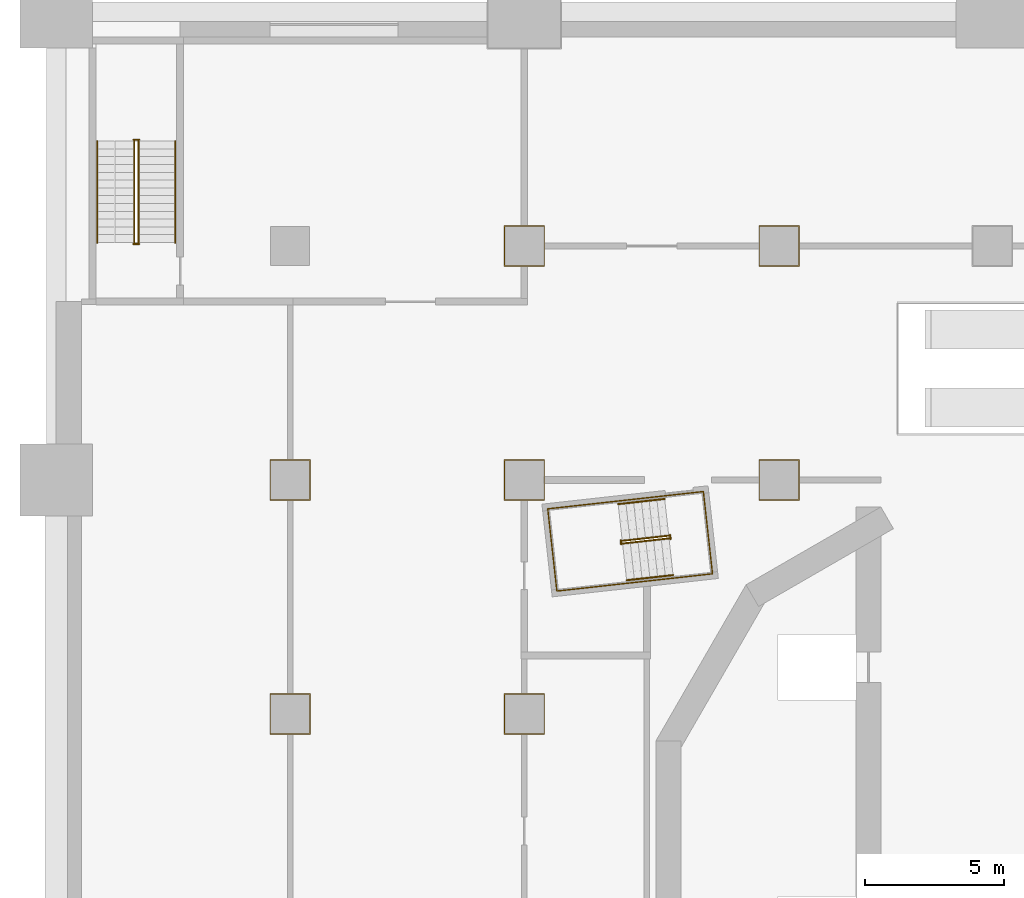
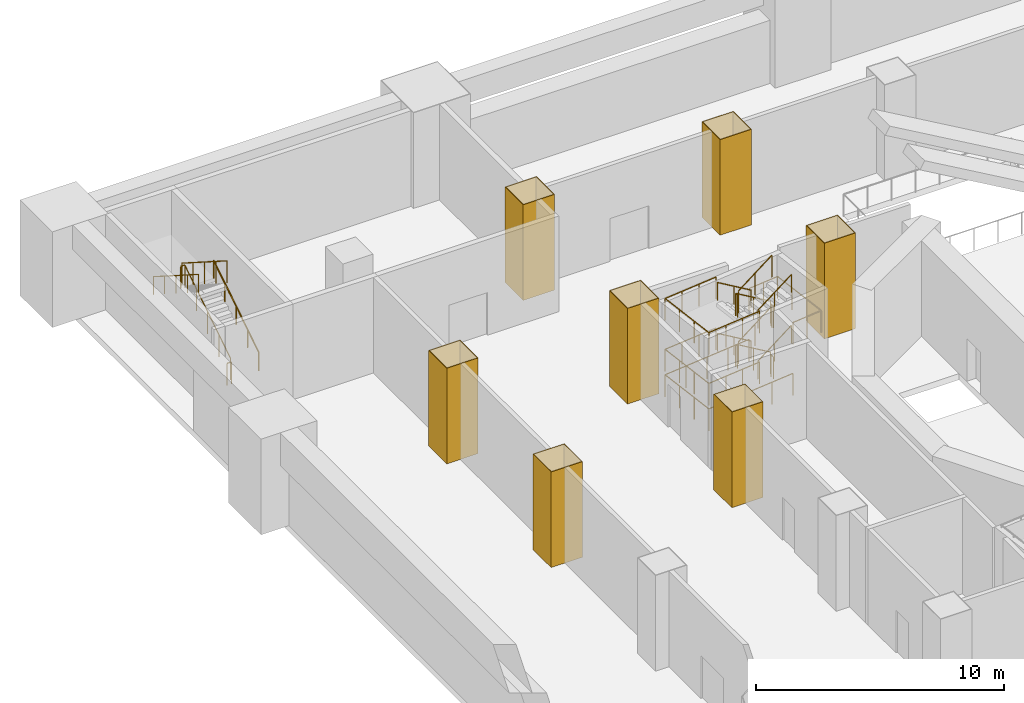
# One storey, part 12 of 18: 19 railings, 7 coverings.
"""IFC4 building model written with IfcOpenShell, lengths in metres."""

from ifc_helpers import new_model, si_unit, direction, frame, origin, origin_2d, place, context, subcontext, project, spatial, polyline, circle, outline, extrude, material, layer, layer_set, type_object, element, save


model = new_model("IFC4")

# Units and contexts
model_context = context("Model", 3, precision=1e-05, world=origin(), true_north=direction((0.0, 1.0)))
body_context = subcontext(model_context, "Body", "Model", "MODEL_VIEW")
ifc_project = project(units=[si_unit("LENGTHUNIT", "METRE"), si_unit("AREAUNIT", "SQUARE_METRE"), si_unit("VOLUMEUNIT", "CUBIC_METRE"), si_unit("PLANEANGLEUNIT", "RADIAN"), si_unit("MASSUNIT", "GRAM", prefix="KILO")], contexts=[model_context])

# Site, building, storey
site_placement = place(None, origin())
site = spatial("IfcSite", under=ifc_project, at=site_placement, CompositionType="ELEMENT")
building_placement = place(site_placement, origin())
building = spatial("IfcBuilding", under=site, at=building_placement, Name="Cantera Rosa Tower", CompositionType="ELEMENT")
storey_placement = place(building_placement, frame((0.0, 0.0, 17.0)))
storey = spatial("IfcBuildingStorey", under=building, at=storey_placement, Name="L02", CompositionType="ELEMENT", Elevation=17.0)

# Coverings
ifc_material_1 = material(Name="Plaster")
ifc_layer = layer(ifc_material_1, 0.030029296875)
ifc_layer_set = layer_set([ifc_layer], Name="Column casing 30")
covering_type = type_object("IfcCoveringType", Name="Column casing 30", PredefinedType="CLADDING", material=ifc_layer_set)
covering_1_placement = place(storey_placement, origin())
element("IfcCovering", 1, at=covering_1_placement, inside=storey, type_object=covering_type, Name="Column casing L02-003", PredefinedType="CLADDING", context=body_context, shape_type="SweptSolid", body=[
    extrude(outline(polyline([(-25.929931640625, 3.469970703125), (-24.469970703125, 3.469970703125), (-24.469970703125, 4.929931640625), (-25.929931640625, 4.929931640625), (-25.929931640625, 3.469970703125)]), holes=[polyline([(-24.5, 4.89990234375), (-25.89990234375, 4.89990234375), (-25.89990234375, 3.5), (-24.5, 3.5), (-24.5, 4.89990234375)])]), origin(), (0.0, 0.0, 1.0), 4.699951171875),
])
covering_2_placement = place(storey_placement, origin())
element("IfcCovering", 2, at=covering_2_placement, inside=storey, type_object=covering_type, Name="Column casing L02-004", PredefinedType="CLADDING", context=body_context, shape_type="SweptSolid", body=[
    extrude(outline(polyline([(-25.929931640625, 11.8701171875), (-24.469970703125, 11.8701171875), (-24.469970703125, 13.330078125), (-25.929931640625, 13.330078125), (-25.929931640625, 11.8701171875)]), holes=[polyline([(-24.5, 13.300048828125), (-25.89990234375, 13.300048828125), (-25.89990234375, 11.89990234375), (-24.5, 11.89990234375), (-24.5, 13.300048828125)])]), origin(), (0.0, 0.0, 1.0), 4.699951171875),
])
covering_3_placement = place(storey_placement, origin())
element("IfcCovering", 3, at=covering_3_placement, inside=storey, type_object=covering_type, Name="Column casing L02-009", PredefinedType="CLADDING", context=body_context, shape_type="SweptSolid", body=[
    extrude(outline(polyline([(-17.530029296875, 3.469970703125), (-16.070068359375, 3.469970703125), (-16.070068359375, 4.929931640625), (-17.530029296875, 4.929931640625), (-17.530029296875, 3.469970703125)]), holes=[polyline([(-16.10009765625, 4.89990234375), (-17.5, 4.89990234375), (-17.5, 3.5), (-16.10009765625, 3.5), (-16.10009765625, 4.89990234375)])]), origin(), (0.0, 0.0, 1.0), 4.699951171875),
])
covering_4_placement = place(storey_placement, origin())
element("IfcCovering", 4, at=covering_4_placement, inside=storey, type_object=covering_type, Name="Column casing L02-010", PredefinedType="CLADDING", context=body_context, shape_type="SweptSolid", body=[
    extrude(outline(polyline([(-17.530029296875, 11.8701171875), (-16.070068359375, 11.8701171875), (-16.070068359375, 13.330078125), (-17.530029296875, 13.330078125), (-17.530029296875, 11.8701171875)]), holes=[polyline([(-16.10009765625, 13.300048828125), (-17.5, 13.300048828125), (-17.5, 11.89990234375), (-16.10009765625, 11.89990234375), (-16.10009765625, 13.300048828125)])]), origin(), (0.0, 0.0, 1.0), 4.699951171875),
])
covering_5_placement = place(storey_placement, origin())
element("IfcCovering", 5, at=covering_5_placement, inside=storey, type_object=covering_type, Name="Column casing L02-011", PredefinedType="CLADDING", context=body_context, shape_type="SweptSolid", body=[
    extrude(outline(polyline([(-17.530029296875, 20.27001953125), (-16.070068359375, 20.27001953125), (-16.070068359375, 21.72998046875), (-17.530029296875, 21.72998046875), (-17.530029296875, 20.27001953125)]), holes=[polyline([(-16.10009765625, 21.699951171875), (-17.5, 21.699951171875), (-17.5, 20.300048828125), (-16.10009765625, 20.300048828125), (-16.10009765625, 21.699951171875)])]), origin(), (0.0, 0.0, 1.0), 4.699951171875),
])
covering_6_placement = place(storey_placement, origin())
element("IfcCovering", 6, at=covering_6_placement, inside=storey, type_object=covering_type, Name="Column casing L02-015", PredefinedType="CLADDING", context=body_context, shape_type="SweptSolid", body=[
    extrude(outline(polyline([(-8.3798828125, 11.8701171875), (-6.919921875, 11.8701171875), (-6.919921875, 13.330078125), (-8.3798828125, 13.330078125), (-8.3798828125, 11.8701171875)]), holes=[polyline([(-6.949951171875, 13.300048828125), (-8.35009765625, 13.300048828125), (-8.35009765625, 11.89990234375), (-6.949951171875, 11.89990234375), (-6.949951171875, 13.300048828125)])]), origin(), (0.0, 0.0, 1.0), 4.699951171875),
])
covering_7_placement = place(storey_placement, origin())
element("IfcCovering", 7, at=covering_7_placement, inside=storey, type_object=covering_type, Name="Column casing L02-016", PredefinedType="CLADDING", context=body_context, shape_type="SweptSolid", body=[
    extrude(outline(polyline([(-8.3798828125, 20.27001953125), (-6.919921875, 20.27001953125), (-6.919921875, 21.72998046875), (-8.3798828125, 21.72998046875), (-8.3798828125, 20.27001953125)]), holes=[polyline([(-6.949951171875, 21.699951171875), (-8.35009765625, 21.699951171875), (-8.35009765625, 20.300048828125), (-6.949951171875, 20.300048828125), (-6.949951171875, 21.699951171875)])]), origin(), (0.0, 0.0, 1.0), 4.699951171875),
])

# Railings
ifc_material_2 = material(Name="Steel S355J2 (EN 10025-2)", Category="steel")
railing_type_1 = type_object("IfcRailingType", Name="STAIR GUARD 1100", PredefinedType="GUARDRAIL", material=ifc_material_2)
railing_1_placement = place(storey_placement, frame((-11.614013671875, 10.60302734375, 0.178466796875)))
element("IfcRailing", 8, at=railing_1_placement, inside=storey, type_object=railing_type_1, Name="L02 ST-12 stair guard 1", PredefinedType="GUARDRAIL", context=body_context, shape_type="SweptSolid", body=[
    extrude(circle(Radius=0.02392578125, at=origin_2d()), frame((0.0, 0.0, 1.076171875), z_axis=(-0.837950904326, -0.092996744609, 0.537763784046), x_axis=(0.110303920128, -0.993897904819, 0.0)), (0.0, 0.0, 1.0), 1.99267578125),
    extrude(circle(Radius=0.02392578125, at=origin_2d()), frame((-1.669677734375, -0.185302734375, 2.1474609375), z_axis=(-0.931434406233, 0.363909256389, 0.0), x_axis=(-0.363909256389, -0.931434406233, 0.0)), (0.0, 0.0, 1.0), 0.056396484375),
    extrude(circle(Radius=0.02392578125, at=origin_2d()), frame((-1.72216796875, -0.164794921875, 2.1474609375), z_axis=(0.1090029065, -0.994041430915, 0.0), x_axis=(0.994041430915, 0.1090029065, 0.0)), (0.0, 0.0, 1.0), 0.150146484375),
    extrude(circle(Radius=0.02099609375, at=origin_2d()), origin(), (0.0, 0.0, 1.0), 1.052001953125),
    extrude(circle(Radius=0.02099609375, at=origin_2d()), frame((-0.8349609375, -0.0927734375, 0.53564453125)), (0.0, 0.0, 1.0), 1.052001953125),
    extrude(circle(Radius=0.02099609375, at=origin_2d()), frame((-1.669677734375, -0.185302734375, 1.071533203125)), (0.0, 0.0, 1.0), 1.052001953125),
    extrude(circle(Radius=0.02099609375, at=origin_2d()), frame((-1.72216796875, -0.164794921875, 1.071533203125)), (0.0, 0.0, 1.0), 1.052001953125),
    extrude(circle(Radius=0.02099609375, at=origin_2d()), frame((-1.705810546875, -0.31396484375, 1.071533203125)), (0.0, 0.0, 1.0), 1.052001953125),
])
railing_2_placement = place(storey_placement, frame((-13.27294921875, 10.3203125, 1.428466796875)))
element("IfcRailing", 9, at=railing_2_placement, inside=storey, type_object=railing_type_1, Name="L02 ST-12 stair guard 2", PredefinedType="GUARDRAIL", context=body_context, shape_type="SweptSolid", body=[
    extrude(circle(Radius=0.02392578125, at=origin_2d()), frame((0.0, 0.0, 1.076171875), z_axis=(0.837987391448, 0.092987197384, 0.537708576179), x_axis=(-0.11028798999, 0.993899672635, 0.0)), (0.0, 0.0, 1.0), 1.99267578125),
    extrude(circle(Radius=0.02392578125, at=origin_2d()), frame((1.669921875, 0.185302734375, 2.1474609375), z_axis=(0.932897555956, -0.360141847183, 0.0), x_axis=(0.360141847183, 0.932897555956, 0.0)), (0.0, 0.0, 1.0), 0.05615234375),
    extrude(circle(Radius=0.02392578125, at=origin_2d()), frame((1.722412109375, 0.1650390625, 2.1474609375), z_axis=(-0.110610055588, 0.993863881828, 0.0), x_axis=(-0.993863881828, -0.110610055588, 0.0)), (0.0, 0.0, 1.0), 0.150146484375),
    extrude(circle(Radius=0.02099609375, at=origin_2d()), origin(), (0.0, 0.0, 1.0), 1.052001953125),
    extrude(circle(Radius=0.02099609375, at=origin_2d()), frame((0.8349609375, 0.0927734375, 0.53564453125)), (0.0, 0.0, 1.0), 1.052001953125),
    extrude(circle(Radius=0.02099609375, at=origin_2d()), frame((1.669921875, 0.185302734375, 1.071533203125)), (0.0, 0.0, 1.0), 1.052001953125),
    extrude(circle(Radius=0.02099609375, at=origin_2d()), frame((1.722412109375, 0.1650390625, 1.071533203125)), (0.0, 0.0, 1.0), 1.052001953125),
    extrude(circle(Radius=0.02099609375, at=origin_2d()), frame((1.705810546875, 0.314208984375, 1.071533203125)), (0.0, 0.0, 1.0), 1.052001953125),
])
railing_3_placement = place(storey_placement, frame((-11.614013671875, 10.60302734375, 2.678466796875)))
element("IfcRailing", 10, at=railing_3_placement, inside=storey, type_object=railing_type_1, Name="L02 ST-12 stair guard 3", PredefinedType="GUARDRAIL", context=body_context, shape_type="SweptSolid", body=[
    extrude(circle(Radius=0.02392578125, at=origin_2d()), frame((0.0, 0.0, 1.076171875), z_axis=(-0.837950904326, -0.092996744609, 0.537763784046), x_axis=(0.110303920128, -0.993897904819, 0.0)), (0.0, 0.0, 1.0), 1.99267578125),
    extrude(circle(Radius=0.02392578125, at=origin_2d()), frame((-1.669677734375, -0.185302734375, 2.1474609375), z_axis=(-0.931434406233, 0.363909256389, 0.0), x_axis=(-0.363909256389, -0.931434406233, 0.0)), (0.0, 0.0, 1.0), 0.056396484375),
    extrude(circle(Radius=0.02392578125, at=origin_2d()), frame((-1.72216796875, -0.164794921875, 2.1474609375), z_axis=(0.1090029065, -0.994041430915, 0.0), x_axis=(0.994041430915, 0.1090029065, 0.0)), (0.0, 0.0, 1.0), 0.150146484375),
    extrude(circle(Radius=0.02099609375, at=origin_2d()), origin(), (0.0, 0.0, 1.0), 1.052001953125),
    extrude(circle(Radius=0.02099609375, at=origin_2d()), frame((-0.8349609375, -0.0927734375, 0.53564453125)), (0.0, 0.0, 1.0), 1.052001953125),
    extrude(circle(Radius=0.02099609375, at=origin_2d()), frame((-1.669677734375, -0.185302734375, 1.071533203125)), (0.0, 0.0, 1.0), 1.052001953125),
    extrude(circle(Radius=0.02099609375, at=origin_2d()), frame((-1.72216796875, -0.164794921875, 1.071533203125)), (0.0, 0.0, 1.0), 1.052001953125),
    extrude(circle(Radius=0.02099609375, at=origin_2d()), frame((-1.705810546875, -0.31396484375, 1.071533203125)), (0.0, 0.0, 1.0), 1.052001953125),
])
railing_4_placement = place(storey_placement, frame((-13.27294921875, 10.3203125, 3.928466796875)))
element("IfcRailing", 11, at=railing_4_placement, inside=storey, type_object=railing_type_1, Name="L02 ST-12 stair guard 4", PredefinedType="GUARDRAIL", context=body_context, shape_type="SweptSolid", body=[
    extrude(circle(Radius=0.02392578125, at=origin_2d()), frame((0.0, 0.0, 1.076171875), z_axis=(0.837987391448, 0.092987197384, 0.537708576179), x_axis=(-0.11028798999, 0.993899672635, 0.0)), (0.0, 0.0, 1.0), 1.99267578125),
    extrude(circle(Radius=0.02099609375, at=origin_2d()), origin(), (0.0, 0.0, 1.0), 1.052001953125),
    extrude(circle(Radius=0.02099609375, at=origin_2d()), frame((0.8349609375, 0.0927734375, 0.53564453125)), (0.0, 0.0, 1.0), 1.052001953125),
    extrude(circle(Radius=0.02099609375, at=origin_2d()), frame((1.669921875, 0.185302734375, 1.071533203125)), (0.0, 0.0, 1.0), 1.052001953125),
])
railing_5_placement = place(storey_placement, frame((-11.567138671875, 10.634521484375, 0.0)))
element("IfcRailing", 12, at=railing_5_placement, inside=storey, type_object=railing_type_1, Name="L02 ST-12 stair guard 5", PredefinedType="GUARDRAIL", context=body_context, shape_type="SweptSolid", body=[
    extrude(circle(Radius=0.02392578125, at=origin_2d()), frame((0.0, 0.0, 1.076171875), z_axis=(0.110610055588, -0.993863881828, 0.0), x_axis=(0.993863881828, 0.110610055588, 0.0)), (0.0, 0.0, 1.0), 0.150146484375),
    extrude(circle(Radius=0.02099609375, at=origin_2d()), origin(), (0.0, 0.0, 1.0), 1.052001953125),
    extrude(circle(Radius=0.02099609375, at=origin_2d()), frame((0.0166015625, -0.149169921875, 0.0)), (0.0, 0.0, 1.0), 1.052001953125),
])
railing_6_placement = place(storey_placement, frame((-11.7841796875, 12.029052734375, 0.0)))
element("IfcRailing", 13, at=railing_6_placement, inside=storey, type_object=railing_type_1, Name="L02 ST-12 stair guard 6", PredefinedType="GUARDRAIL", context=body_context, shape_type="SweptSolid", body=[
    extrude(circle(Radius=0.02392578125, at=origin_2d()), frame((0.0, 0.0, 1.076171875), z_axis=(-0.9938957856, -0.110323013767, 0.0), x_axis=(0.110323013767, -0.9938957856, 0.0)), (0.0, 0.0, 1.0), 4.197998046875),
    extrude(circle(Radius=0.02392578125, at=origin_2d()), frame((-4.17236328125, -0.463134765625, 1.076171875), z_axis=(0.11023303584, -0.99390576908, 0.0), x_axis=(0.99390576908, 0.11023303584, 0.0)), (0.0, 0.0, 1.0), 2.969970703125),
    extrude(circle(Radius=0.02392578125, at=origin_2d()), frame((-3.844970703125, -3.4150390625, 1.076171875), z_axis=(0.993896493372, 0.11031663729, 0.0), x_axis=(-0.11031663729, 0.993896493372, 0.0)), (0.0, 0.0, 1.0), 4.1982421875),
    extrude(circle(Radius=0.02099609375, at=origin_2d()), origin(), (0.0, 0.0, 1.0), 1.052001953125),
    extrude(circle(Radius=0.02099609375, at=origin_2d()), frame((-1.04296875, -0.11572265625, 0.0)), (0.0, 0.0, 1.0), 1.052001953125),
    extrude(circle(Radius=0.02099609375, at=origin_2d()), frame((-2.086181640625, -0.2314453125, 0.0)), (0.0, 0.0, 1.0), 1.052001953125),
    extrude(circle(Radius=0.02099609375, at=origin_2d()), frame((-3.12939453125, -0.347412109375, 0.0)), (0.0, 0.0, 1.0), 1.052001953125),
    extrude(circle(Radius=0.02099609375, at=origin_2d()), frame((-4.17236328125, -0.463134765625, 0.0)), (0.0, 0.0, 1.0), 1.052001953125),
    extrude(circle(Radius=0.02099609375, at=origin_2d()), frame((-4.063232421875, -1.447021484375, 0.0)), (0.0, 0.0, 1.0), 1.052001953125),
    extrude(circle(Radius=0.02099609375, at=origin_2d()), frame((-3.9541015625, -2.43115234375, 0.0)), (0.0, 0.0, 1.0), 1.052001953125),
    extrude(circle(Radius=0.02099609375, at=origin_2d()), frame((-3.844970703125, -3.4150390625, 0.0)), (0.0, 0.0, 1.0), 1.052001953125),
    extrude(circle(Radius=0.02099609375, at=origin_2d()), frame((-2.8017578125, -3.29931640625, 0.0)), (0.0, 0.0, 1.0), 1.052001953125),
    extrude(circle(Radius=0.02099609375, at=origin_2d()), frame((-1.7587890625, -3.18359375, 0.0)), (0.0, 0.0, 1.0), 1.052001953125),
    extrude(circle(Radius=0.02099609375, at=origin_2d()), frame((-0.715576171875, -3.067626953125, 0.0)), (0.0, 0.0, 1.0), 1.052001953125),
    extrude(circle(Radius=0.02099609375, at=origin_2d()), frame((0.32763671875, -2.951904296875, 0.0)), (0.0, 0.0, 1.0), 1.052001953125),
])
railing_7_placement = place(storey_placement, frame((-13.43017578125, 11.846435546875, 1.25)))
element("IfcRailing", 14, at=railing_7_placement, inside=storey, type_object=railing_type_1, Name="L02 ST-12 stair guard 7", PredefinedType="GUARDRAIL", context=body_context, shape_type="SweptSolid", body=[
    extrude(circle(Radius=0.02392578125, at=origin_2d()), frame((0.0, 0.0, 1.076171875), z_axis=(-0.993891931048, -0.110357733743, 0.0), x_axis=(0.110357733743, -0.993891931048, 0.0)), (0.0, 0.0, 1.0), 2.5419921875),
    extrude(circle(Radius=0.02392578125, at=origin_2d()), frame((-2.5263671875, -0.280517578125, 1.076171875), z_axis=(0.11023303584, -0.99390576908, 0.0), x_axis=(0.99390576908, 0.11023303584, 0.0)), (0.0, 0.0, 1.0), 2.969970703125),
    extrude(circle(Radius=0.02392578125, at=origin_2d()), frame((-2.198974609375, -3.232421875, 1.076171875), z_axis=(0.993893100618, 0.110347199982, 0.0), x_axis=(-0.110347199982, 0.993893100618, 0.0)), (0.0, 0.0, 1.0), 2.542236328125),
    extrude(circle(Radius=0.02099609375, at=origin_2d()), origin(), (0.0, 0.0, 1.0), 1.052001953125),
    extrude(circle(Radius=0.02099609375, at=origin_2d()), frame((-0.842041015625, -0.093505859375, 0.0)), (0.0, 0.0, 1.0), 1.052001953125),
    extrude(circle(Radius=0.02099609375, at=origin_2d()), frame((-1.684326171875, -0.18701171875, 0.0)), (0.0, 0.0, 1.0), 1.052001953125),
    extrude(circle(Radius=0.02099609375, at=origin_2d()), frame((-2.5263671875, -0.280517578125, 0.0)), (0.0, 0.0, 1.0), 1.052001953125),
    extrude(circle(Radius=0.02099609375, at=origin_2d()), frame((-2.417236328125, -1.264404296875, 0.0)), (0.0, 0.0, 1.0), 1.052001953125),
    extrude(circle(Radius=0.02099609375, at=origin_2d()), frame((-2.30810546875, -2.24853515625, 0.0)), (0.0, 0.0, 1.0), 1.052001953125),
    extrude(circle(Radius=0.02099609375, at=origin_2d()), frame((-2.198974609375, -3.232421875, 0.0)), (0.0, 0.0, 1.0), 1.052001953125),
    extrude(circle(Radius=0.02099609375, at=origin_2d()), frame((-1.356689453125, -3.138916015625, 0.0)), (0.0, 0.0, 1.0), 1.052001953125),
    extrude(circle(Radius=0.02099609375, at=origin_2d()), frame((-0.5146484375, -3.04541015625, 0.0)), (0.0, 0.0, 1.0), 1.052001953125),
    extrude(circle(Radius=0.02099609375, at=origin_2d()), frame((0.32763671875, -2.951904296875, 0.0)), (0.0, 0.0, 1.0), 1.052001953125),
])
railing_8_placement = place(storey_placement, frame((-11.7841796875, 12.029052734375, 2.5)))
element("IfcRailing", 15, at=railing_8_placement, inside=storey, type_object=railing_type_1, Name="L02 ST-12 stair guard 8", PredefinedType="GUARDRAIL", context=body_context, shape_type="SweptSolid", body=[
    extrude(circle(Radius=0.02392578125, at=origin_2d()), frame((0.0, 0.0, 1.076171875), z_axis=(0.993887921413, 0.110393838913, 0.0), x_axis=(-0.110393838913, 0.993887921413, 0.0)), (0.0, 0.0, 1.0), 1.422119140625),
    extrude(circle(Radius=0.02392578125, at=origin_2d()), frame((1.413330078125, 0.156982421875, 1.076171875), z_axis=(0.11023303584, -0.99390576908, 0.0), x_axis=(0.99390576908, 0.11023303584, 0.0)), (0.0, 0.0, 1.0), 2.969970703125),
    extrude(circle(Radius=0.02392578125, at=origin_2d()), frame((1.74072265625, -2.794921875, 1.076171875), z_axis=(-0.993885828579, -0.110412679298, 0.0), x_axis=(0.110412679298, -0.993885828579, 0.0)), (0.0, 0.0, 1.0), 1.421875),
    extrude(circle(Radius=0.02099609375, at=origin_2d()), origin(), (0.0, 0.0, 1.0), 1.052001953125),
    extrude(circle(Radius=0.02099609375, at=origin_2d()), frame((0.70654296875, 0.07861328125, 0.0)), (0.0, 0.0, 1.0), 1.052001953125),
    extrude(circle(Radius=0.02099609375, at=origin_2d()), frame((1.413330078125, 0.156982421875, 0.0)), (0.0, 0.0, 1.0), 1.052001953125),
    extrude(circle(Radius=0.02099609375, at=origin_2d()), frame((1.5224609375, -0.826904296875, 0.0)), (0.0, 0.0, 1.0), 1.052001953125),
    extrude(circle(Radius=0.02099609375, at=origin_2d()), frame((1.631591796875, -1.81103515625, 0.0)), (0.0, 0.0, 1.0), 1.052001953125),
    extrude(circle(Radius=0.02099609375, at=origin_2d()), frame((1.74072265625, -2.794921875, 0.0)), (0.0, 0.0, 1.0), 1.052001953125),
    extrude(circle(Radius=0.02099609375, at=origin_2d()), frame((1.0341796875, -2.87353515625, 0.0)), (0.0, 0.0, 1.0), 1.052001953125),
    extrude(circle(Radius=0.02099609375, at=origin_2d()), frame((0.32763671875, -2.951904296875, 0.0)), (0.0, 0.0, 1.0), 1.052001953125),
])
railing_9_placement = place(storey_placement, frame((-13.43017578125, 11.846435546875, 3.75)))
element("IfcRailing", 16, at=railing_9_placement, inside=storey, type_object=railing_type_1, Name="L02 ST-12 stair guard 9", PredefinedType="GUARDRAIL", context=body_context, shape_type="SweptSolid", body=[
    extrude(circle(Radius=0.02392578125, at=origin_2d()), frame((0.0, 0.0, 1.076171875), z_axis=(-0.993891931048, -0.110357733743, 0.0), x_axis=(0.110357733743, -0.993891931048, 0.0)), (0.0, 0.0, 1.0), 2.5419921875),
    extrude(circle(Radius=0.02392578125, at=origin_2d()), frame((-2.5263671875, -0.280517578125, 1.076171875), z_axis=(0.11023303584, -0.99390576908, 0.0), x_axis=(0.99390576908, 0.11023303584, 0.0)), (0.0, 0.0, 1.0), 2.969970703125),
    extrude(circle(Radius=0.02392578125, at=origin_2d()), frame((-2.198974609375, -3.232421875, 1.076171875), z_axis=(0.993893100618, 0.110347199982, 0.0), x_axis=(-0.110347199982, 0.993893100618, 0.0)), (0.0, 0.0, 1.0), 2.542236328125),
    extrude(circle(Radius=0.02099609375, at=origin_2d()), origin(), (0.0, 0.0, 1.0), 1.052001953125),
    extrude(circle(Radius=0.02099609375, at=origin_2d()), frame((-0.842041015625, -0.093505859375, 0.0)), (0.0, 0.0, 1.0), 1.052001953125),
    extrude(circle(Radius=0.02099609375, at=origin_2d()), frame((-1.684326171875, -0.18701171875, 0.0)), (0.0, 0.0, 1.0), 1.052001953125),
    extrude(circle(Radius=0.02099609375, at=origin_2d()), frame((-2.5263671875, -0.280517578125, 0.0)), (0.0, 0.0, 1.0), 1.052001953125),
    extrude(circle(Radius=0.02099609375, at=origin_2d()), frame((-2.417236328125, -1.264404296875, 0.0)), (0.0, 0.0, 1.0), 1.052001953125),
    extrude(circle(Radius=0.02099609375, at=origin_2d()), frame((-2.30810546875, -2.24853515625, 0.0)), (0.0, 0.0, 1.0), 1.052001953125),
    extrude(circle(Radius=0.02099609375, at=origin_2d()), frame((-2.198974609375, -3.232421875, 0.0)), (0.0, 0.0, 1.0), 1.052001953125),
    extrude(circle(Radius=0.02099609375, at=origin_2d()), frame((-1.356689453125, -3.138916015625, 0.0)), (0.0, 0.0, 1.0), 1.052001953125),
    extrude(circle(Radius=0.02099609375, at=origin_2d()), frame((-0.5146484375, -3.04541015625, 0.0)), (0.0, 0.0, 1.0), 1.052001953125),
    extrude(circle(Radius=0.02099609375, at=origin_2d()), frame((0.32763671875, -2.951904296875, 0.0)), (0.0, 0.0, 1.0), 1.052001953125),
])
railing_10_placement = place(storey_placement, frame((-30.65087890625, 21.125, 0.178466796875)))
element("IfcRailing", 17, at=railing_10_placement, inside=storey, type_object=railing_type_1, Name="L02 ST-NW stair guard 1", PredefinedType="GUARDRAIL", context=body_context, shape_type="SweptSolid", body=[
    extrude(circle(Radius=0.02392578125, at=origin_2d()), frame((0.0, 0.0, 1.076171875), z_axis=(0.0, 0.843111507901, 0.53773877045), x_axis=(-1.0, 0.0, 0.0)), (0.0, 0.0, 1.0), 4.317138671875),
    extrude(circle(Radius=0.02099609375, at=origin_2d()), origin(), (0.0, 0.0, 1.0), 1.052001953125),
    extrude(circle(Radius=0.02099609375, at=origin_2d()), frame((0.0, 0.909912109375, 0.580322265625)), (0.0, 0.0, 1.0), 1.052001953125),
    extrude(circle(Radius=0.02099609375, at=origin_2d()), frame((0.0, 1.81982421875, 1.16064453125)), (0.0, 0.0, 1.0), 1.052001953125),
    extrude(circle(Radius=0.02099609375, at=origin_2d()), frame((0.0, 2.72998046875, 1.7412109375)), (0.0, 0.0, 1.0), 1.052001953125),
    extrude(circle(Radius=0.02099609375, at=origin_2d()), frame((0.0, 3.639892578125, 2.321533203125)), (0.0, 0.0, 1.0), 1.052001953125),
])
railing_11_placement = place(storey_placement, frame((-30.625, 24.81494140625, 2.5)))
element("IfcRailing", 18, at=railing_11_placement, inside=storey, type_object=railing_type_1, Name="L02 ST-NW stair guard 2", PredefinedType="GUARDRAIL", context=body_context, shape_type="SweptSolid", body=[
    extrude(circle(Radius=0.02392578125, at=origin_2d()), frame((0.0, 0.0, 1.076171875), z_axis=(-1.0, 0.0, 0.0), x_axis=(0.0, -1.0, 0.0)), (0.0, 0.0, 1.0), 0.199951171875),
    extrude(circle(Radius=0.02099609375, at=origin_2d()), origin(), (0.0, 0.0, 1.0), 1.052001953125),
    extrude(circle(Radius=0.02099609375, at=origin_2d()), frame((-0.199951171875, 0.0, 0.0)), (0.0, 0.0, 1.0), 1.052001953125),
])
railing_12_placement = place(storey_placement, frame((-30.799072265625, 24.764892578125, 2.678466796875)))
element("IfcRailing", 19, at=railing_12_placement, inside=storey, type_object=railing_type_1, Name="L02 ST-NW stair guard 3", PredefinedType="GUARDRAIL", context=body_context, shape_type="SweptSolid", body=[
    extrude(circle(Radius=0.02392578125, at=origin_2d()), frame((0.0, 0.0, 1.076171875), z_axis=(0.0, -0.843111507901, 0.53773877045), x_axis=(1.0, 0.0, 0.0)), (0.0, 0.0, 1.0), 4.317138671875),
    extrude(circle(Radius=0.02099609375, at=origin_2d()), origin(), (0.0, 0.0, 1.0), 1.052001953125),
    extrude(circle(Radius=0.02099609375, at=origin_2d()), frame((0.0, -0.909912109375, 0.580322265625)), (0.0, 0.0, 1.0), 1.052001953125),
    extrude(circle(Radius=0.02099609375, at=origin_2d()), frame((0.0, -1.81982421875, 1.16064453125)), (0.0, 0.0, 1.0), 1.052001953125),
    extrude(circle(Radius=0.02099609375, at=origin_2d()), frame((0.0, -2.72998046875, 1.7412109375)), (0.0, 0.0, 1.0), 1.052001953125),
    extrude(circle(Radius=0.02099609375, at=origin_2d()), frame((0.0, -3.639892578125, 2.321533203125)), (0.0, 0.0, 1.0), 1.052001953125),
])
railing_13_placement = place(storey_placement, frame((-30.625, 21.074951171875, 0.0)))
element("IfcRailing", 20, at=railing_13_placement, inside=storey, type_object=railing_type_1, Name="L02 ST-NW stair guard 4", PredefinedType="GUARDRAIL", context=body_context, shape_type="SweptSolid", body=[
    extrude(circle(Radius=0.02392578125, at=origin_2d()), frame((0.0, 0.0, 1.076171875), z_axis=(-1.0, 0.0, 0.0), x_axis=(0.0, -1.0, 0.0)), (0.0, 0.0, 1.0), 0.199951171875),
    extrude(circle(Radius=0.02099609375, at=origin_2d()), origin(), (0.0, 0.0, 1.0), 1.052001953125),
    extrude(circle(Radius=0.02099609375, at=origin_2d()), frame((-0.199951171875, 0.0, 0.0)), (0.0, 0.0, 1.0), 1.052001953125),
])
ifc_material_3 = material(Name="Steel S355J2 (EN 10025-2)", Category="steel")
railing_type_2 = type_object("IfcRailingType", Name="STAIR HANDRAIL 900", PredefinedType="HANDRAIL", material=ifc_material_3)
railing_14_placement = place(storey_placement, frame((-11.76025390625, 11.921142578125, 0.178466796875)))
element("IfcRailing", 21, at=railing_14_placement, inside=storey, type_object=railing_type_2, Name="L02 ST-12 stair handrail 1", PredefinedType="HANDRAIL", context=body_context, shape_type="SweptSolid", body=[
    extrude(circle(Radius=0.02392578125, at=origin_2d()), frame((0.0, 0.0, 0.8759765625), z_axis=(-0.837950904326, -0.092996744609, 0.537763784046), x_axis=(0.110303920128, -0.993897904819, 0.0)), (0.0, 0.0, 1.0), 1.99267578125),
    extrude(circle(Radius=0.02099609375, at=origin_2d()), origin(), (0.0, 0.0, 1.0), 0.851806640625),
    extrude(circle(Radius=0.02099609375, at=origin_2d()), frame((-0.8349609375, -0.0927734375, 0.53564453125)), (0.0, 0.0, 1.0), 0.851806640625),
    extrude(circle(Radius=0.02099609375, at=origin_2d()), frame((-1.669677734375, -0.185302734375, 1.071533203125)), (0.0, 0.0, 1.0), 0.851806640625),
])
railing_15_placement = place(storey_placement, frame((-13.126708984375, 9.00244140625, 1.428466796875)))
element("IfcRailing", 22, at=railing_15_placement, inside=storey, type_object=railing_type_2, Name="L02 ST-12 stair handrail 2", PredefinedType="HANDRAIL", context=body_context, shape_type="SweptSolid", body=[
    extrude(circle(Radius=0.02392578125, at=origin_2d()), frame((0.0, 0.0, 0.8759765625), z_axis=(0.837987391448, 0.092987197384, 0.537708576179), x_axis=(-0.11028798999, 0.993899672635, 0.0)), (0.0, 0.0, 1.0), 1.99267578125),
    extrude(circle(Radius=0.02099609375, at=origin_2d()), origin(), (0.0, 0.0, 1.0), 0.851806640625),
    extrude(circle(Radius=0.02099609375, at=origin_2d()), frame((0.8349609375, 0.0927734375, 0.53564453125)), (0.0, 0.0, 1.0), 0.851806640625),
    extrude(circle(Radius=0.02099609375, at=origin_2d()), frame((1.669921875, 0.185302734375, 1.071533203125)), (0.0, 0.0, 1.0), 0.851806640625),
])
railing_16_placement = place(storey_placement, frame((-11.76025390625, 11.921142578125, 2.678466796875)))
element("IfcRailing", 23, at=railing_16_placement, inside=storey, type_object=railing_type_2, Name="L02 ST-12 stair handrail 3", PredefinedType="HANDRAIL", context=body_context, shape_type="SweptSolid", body=[
    extrude(circle(Radius=0.02392578125, at=origin_2d()), frame((0.0, 0.0, 0.8759765625), z_axis=(-0.837950904326, -0.092996744609, 0.537763784046), x_axis=(0.110303920128, -0.993897904819, 0.0)), (0.0, 0.0, 1.0), 1.99267578125),
    extrude(circle(Radius=0.02099609375, at=origin_2d()), origin(), (0.0, 0.0, 1.0), 0.851806640625),
    extrude(circle(Radius=0.02099609375, at=origin_2d()), frame((-0.8349609375, -0.0927734375, 0.53564453125)), (0.0, 0.0, 1.0), 0.851806640625),
    extrude(circle(Radius=0.02099609375, at=origin_2d()), frame((-1.669677734375, -0.185302734375, 1.071533203125)), (0.0, 0.0, 1.0), 0.851806640625),
])
railing_17_placement = place(storey_placement, frame((-13.126708984375, 9.00244140625, 3.928466796875)))
element("IfcRailing", 24, at=railing_17_placement, inside=storey, type_object=railing_type_2, Name="L02 ST-12 stair handrail 4", PredefinedType="HANDRAIL", context=body_context, shape_type="SweptSolid", body=[
    extrude(circle(Radius=0.02392578125, at=origin_2d()), frame((0.0, 0.0, 0.8759765625), z_axis=(0.837987391448, 0.092987197384, 0.537708576179), x_axis=(-0.11028798999, 0.993899672635, 0.0)), (0.0, 0.0, 1.0), 1.99267578125),
    extrude(circle(Radius=0.02099609375, at=origin_2d()), origin(), (0.0, 0.0, 1.0), 0.851806640625),
    extrude(circle(Radius=0.02099609375, at=origin_2d()), frame((0.8349609375, 0.0927734375, 0.53564453125)), (0.0, 0.0, 1.0), 0.851806640625),
    extrude(circle(Radius=0.02099609375, at=origin_2d()), frame((1.669921875, 0.185302734375, 1.071533203125)), (0.0, 0.0, 1.0), 0.851806640625),
])
railing_18_placement = place(storey_placement, frame((-29.324951171875, 21.125, 0.178466796875)))
element("IfcRailing", 25, at=railing_18_placement, inside=storey, type_object=railing_type_2, Name="L02 ST-NW stair handrail 1", PredefinedType="HANDRAIL", context=body_context, shape_type="SweptSolid", body=[
    extrude(circle(Radius=0.02392578125, at=origin_2d()), frame((0.0, 0.0, 0.8759765625), z_axis=(0.0, 0.843111507901, 0.53773877045), x_axis=(-1.0, 0.0, 0.0)), (0.0, 0.0, 1.0), 4.317138671875),
    extrude(circle(Radius=0.02099609375, at=origin_2d()), origin(), (0.0, 0.0, 1.0), 0.851806640625),
    extrude(circle(Radius=0.02099609375, at=origin_2d()), frame((0.0, 0.909912109375, 0.580322265625)), (0.0, 0.0, 1.0), 0.851806640625),
    extrude(circle(Radius=0.02099609375, at=origin_2d()), frame((0.0, 1.81982421875, 1.16064453125)), (0.0, 0.0, 1.0), 0.851806640625),
    extrude(circle(Radius=0.02099609375, at=origin_2d()), frame((0.0, 2.72998046875, 1.7412109375)), (0.0, 0.0, 1.0), 0.851806640625),
    extrude(circle(Radius=0.02099609375, at=origin_2d()), frame((0.0, 3.639892578125, 2.321533203125)), (0.0, 0.0, 1.0), 0.851806640625),
])
railing_19_placement = place(storey_placement, frame((-32.125, 24.764892578125, 2.678466796875)))
element("IfcRailing", 26, at=railing_19_placement, inside=storey, type_object=railing_type_2, Name="L02 ST-NW stair handrail 2", PredefinedType="HANDRAIL", context=body_context, shape_type="SweptSolid", body=[
    extrude(circle(Radius=0.02392578125, at=origin_2d()), frame((0.0, 0.0, 0.8759765625), z_axis=(0.0, -0.843111507901, 0.53773877045), x_axis=(1.0, 0.0, 0.0)), (0.0, 0.0, 1.0), 4.317138671875),
    extrude(circle(Radius=0.02099609375, at=origin_2d()), origin(), (0.0, 0.0, 1.0), 0.851806640625),
    extrude(circle(Radius=0.02099609375, at=origin_2d()), frame((0.0, -0.909912109375, 0.580322265625)), (0.0, 0.0, 1.0), 0.851806640625),
    extrude(circle(Radius=0.02099609375, at=origin_2d()), frame((0.0, -1.81982421875, 1.16064453125)), (0.0, 0.0, 1.0), 0.851806640625),
    extrude(circle(Radius=0.02099609375, at=origin_2d()), frame((0.0, -2.72998046875, 1.7412109375)), (0.0, 0.0, 1.0), 0.851806640625),
    extrude(circle(Radius=0.02099609375, at=origin_2d()), frame((0.0, -3.639892578125, 2.321533203125)), (0.0, 0.0, 1.0), 0.851806640625),
])

save(model, "model.ifc")
